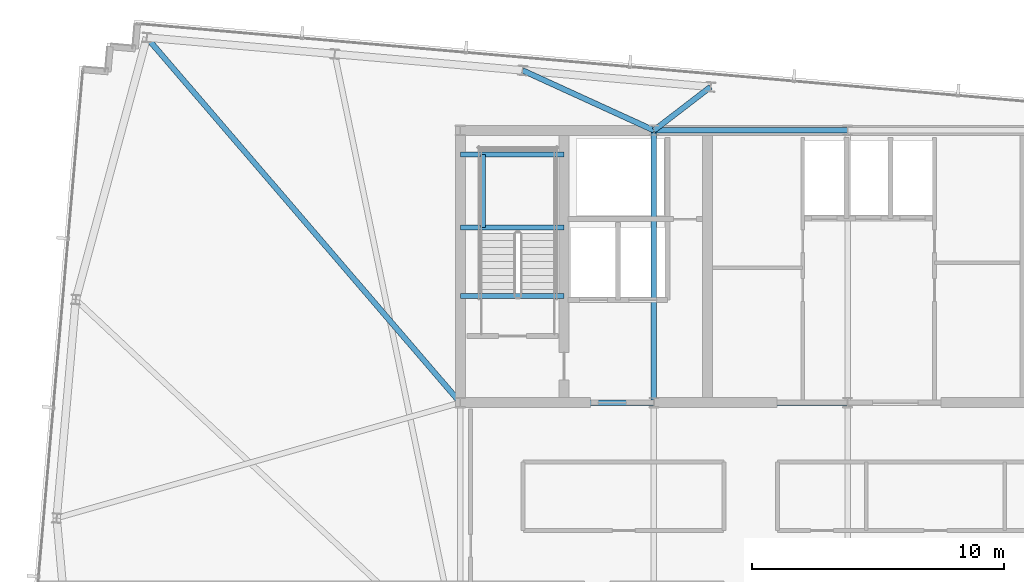
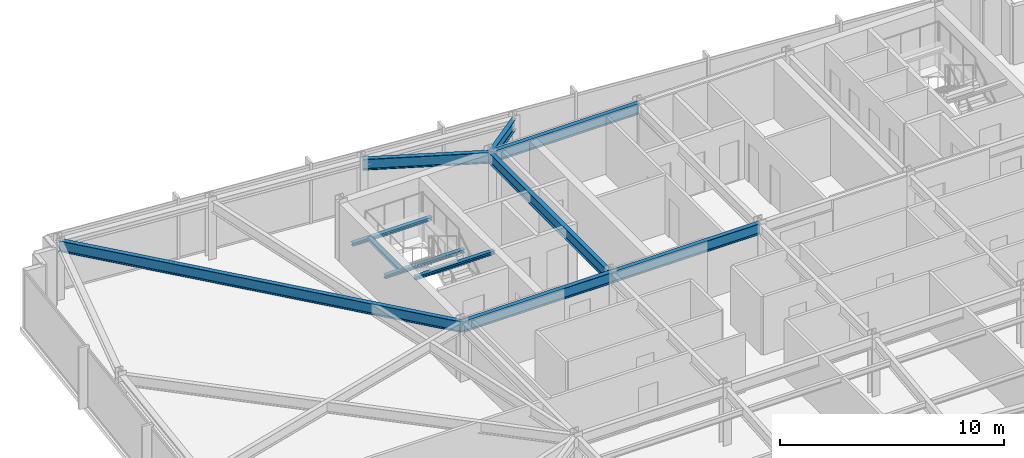
# One storey, part 12 of 32: 11 beams.
"""IFC4 building model written with IfcOpenShell, lengths in metres."""

from ifc_helpers import new_model, si_unit, direction, frame, origin, origin_2d, place, context, subcontext, project, spatial, i_section, extrude, material, material_profile, profile_set, type_object, element, save


model = new_model("IFC4")

# Units and contexts
model_context = context("Model", 3, precision=1e-05, world=origin(), true_north=direction((0.0, 1.0)))
body_context = subcontext(model_context, "Body", "Model", "MODEL_VIEW")
ifc_project = project(units=[si_unit("LENGTHUNIT", "METRE"), si_unit("AREAUNIT", "SQUARE_METRE"), si_unit("VOLUMEUNIT", "CUBIC_METRE"), si_unit("PLANEANGLEUNIT", "RADIAN"), si_unit("MASSUNIT", "GRAM", prefix="KILO")], contexts=[model_context])

# Site, building, storey
site_placement = place(None, origin())
site = spatial("IfcSite", under=ifc_project, at=site_placement, CompositionType="ELEMENT")
building_placement = place(site_placement, origin())
building = spatial("IfcBuilding", under=site, at=building_placement, Name="Yelkora Congress Tower", CompositionType="ELEMENT")
storey_placement = place(building_placement, frame((0.0, 0.0, 272.699951171875)))
storey = spatial("IfcBuildingStorey", under=building, at=storey_placement, Name="L76", CompositionType="ELEMENT", Elevation=272.699951171875)

# Beams
ifc_material = material(Name="Steel S355J2", Category="steel")
ifc_material_profile_1 = material_profile(ifc_material, i_section(OverallWidth=0.219970703125, OverallDepth=0.60009765625, WebThickness=0.011962890625, FlangeThickness=0.01904296875, FilletRadius=0.02392578125, at=origin_2d()), Name="IPE 600")
ifc_profile_set_1 = profile_set([ifc_material_profile_1], Name="Steel S355J2")
beam_type_1 = type_object("IfcBeamType", Name="BM-GIRD-IPE600", PredefinedType="BEAM", material=ifc_profile_set_1)
for number, where, z_axis, x_axis, name in (
    (1, (30.719970703125, 46.199951171875, 2.880126953125), (1.0, 0.0, 0.0), (0.0, 1.0, 0.0), "L76 Core North Girder 2"),
    (2, (23.0400390625, 35.39990234375, 2.880126953125), (1.0, 0.0, 0.0), (0.0, 1.0, 0.0), "L76 Core South Girder 1"),
    (3, (30.719970703125, 35.39990234375, 2.880126953125), (1.0, 0.0, 0.0), (0.0, 1.0, 0.0), "L76 Core South Girder 2"),
):
    element("IfcBeam", number, at=place(storey_placement, frame(where, z_axis=z_axis, x_axis=x_axis)), inside=storey, type_object=beam_type_1, Name=name, PredefinedType="BEAM", context=body_context, shape_type="SweptSolid", body=[
        extrude(i_section(OverallWidth=0.219970703125, OverallDepth=0.60009765625, WebThickness=0.011962890625, FlangeThickness=0.01904296875, FilletRadius=0.02392578125, at=origin_2d()), origin(), (0.0, 0.0, 1.0), 7.679931640625),
    ])
beam_1_placement = place(storey_placement, frame((30.719970703125, 35.39990234375, 2.880126953125), z_axis=(0.0, 1.0, 0.0), x_axis=(-1.0, 0.0, 0.0)))
element("IfcBeam", 4, at=beam_1_placement, inside=storey, type_object=beam_type_1, Name="L76 Core Tie Girder MC-S2", PredefinedType="BEAM", context=body_context, shape_type="SweptSolid", body=[
    extrude(i_section(OverallWidth=0.219970703125, OverallDepth=0.60009765625, WebThickness=0.011962890625, FlangeThickness=0.01904296875, FilletRadius=0.02392578125, at=origin_2d()), origin(), (0.0, 0.0, 1.0), 10.800048828125),
])
beam_2_placement = place(storey_placement, frame((10.60400390625, 49.884033203125, 2.880126953125), z_axis=(0.651427266579, -0.758711088859, 0.0), x_axis=(0.758711088859, 0.651427266579, 0.0)))
element("IfcBeam", 5, at=beam_2_placement, inside=storey, type_object=beam_type_1, Name="L76 Primary Frame Girder N01", PredefinedType="BEAM", context=body_context, shape_type="SweptSolid", body=[
    extrude(i_section(OverallWidth=0.219970703125, OverallDepth=0.60009765625, WebThickness=0.011962890625, FlangeThickness=0.01904296875, FilletRadius=0.02392578125, at=origin_2d()), origin(), (0.0, 0.0, 1.0), 19.09033203125),
])
beam_3_placement = place(storey_placement, frame((25.513916015625, 48.57958984375, 2.880126953125), z_axis=(0.909492445228, -0.415720449429, 0.0), x_axis=(0.415720449429, 0.909492445228, 0.0)))
element("IfcBeam", 6, at=beam_3_placement, inside=storey, type_object=beam_type_1, Name="L76 Primary Frame Girder N03", PredefinedType="BEAM", context=body_context, shape_type="SweptSolid", body=[
    extrude(i_section(OverallWidth=0.219970703125, OverallDepth=0.60009765625, WebThickness=0.011962890625, FlangeThickness=0.01904296875, FilletRadius=0.02392578125, at=origin_2d()), origin(), (0.0, 0.0, 1.0), 5.72412109375),
])
beam_4_placement = place(storey_placement, frame((32.968505859375, 47.927490234375, 2.880126953125), z_axis=(-0.792982335977, -0.609244626425, 0.0), x_axis=(0.609244626425, -0.792982335977, 0.0)))
element("IfcBeam", 7, at=beam_4_placement, inside=storey, type_object=beam_type_1, Name="L76 Primary Frame Girder N04", PredefinedType="BEAM", context=body_context, shape_type="SweptSolid", body=[
    extrude(i_section(OverallWidth=0.219970703125, OverallDepth=0.60009765625, WebThickness=0.011962890625, FlangeThickness=0.01904296875, FilletRadius=0.02392578125, at=origin_2d()), origin(), (0.0, 0.0, 1.0), 2.83544921875),
])
ifc_material_profile_2 = material_profile(ifc_material, i_section(OverallWidth=0.199951171875, OverallDepth=0.18994140625, WebThickness=0.006591796875, FlangeThickness=0.010009765625, FilletRadius=0.01806640625, at=origin_2d()), Name="HEA 200")
ifc_profile_set_2 = profile_set([ifc_material_profile_2], Name="Steel S355J2")
beam_type_2 = type_object("IfcBeamType", Name="BM-LAND-HEA200", PredefinedType="BEAM", material=ifc_profile_set_2)
for number, where, z_axis, x_axis, name in (
    (8, (23.0400390625, 42.340087890625, 1.384765625), (1.0, 0.0, 0.0), (0.0, 1.0, 0.0), "ST-01 L76 Landing Header Beam 1S"),
    (9, (23.0400390625, 45.25, 1.384765625), (1.0, 0.0, 0.0), (0.0, 1.0, 0.0), "ST-01 L76 Landing Header Beam 1N"),
):
    element("IfcBeam", number, at=place(storey_placement, frame(where, z_axis=z_axis, x_axis=x_axis)), inside=storey, type_object=beam_type_2, Name=name, PredefinedType="BEAM", context=body_context, shape_type="SweptSolid", body=[
        extrude(i_section(OverallWidth=0.199951171875, OverallDepth=0.18994140625, WebThickness=0.006591796875, FlangeThickness=0.010009765625, FilletRadius=0.01806640625, at=origin_2d()), origin(), (0.0, 0.0, 1.0), 4.10986328125),
    ])
beam_5_placement = place(storey_placement, frame((23.93994140625, 42.340087890625, 1.384765625), z_axis=(0.0, 1.0, 0.0), x_axis=(-1.0, 0.0, 0.0)))
element("IfcBeam", 10, at=beam_5_placement, inside=storey, type_object=beam_type_2, Name="ST-01 L76 Landing Trimmer Beam 1M", PredefinedType="BEAM", context=body_context, shape_type="SweptSolid", body=[
    extrude(i_section(OverallWidth=0.199951171875, OverallDepth=0.18994140625, WebThickness=0.006591796875, FlangeThickness=0.010009765625, FilletRadius=0.01806640625, at=origin_2d()), origin(), (0.0, 0.0, 1.0), 2.909912109375),
])
beam_6_placement = place(storey_placement, frame((23.0400390625, 39.639892578125, 2.947509765625), z_axis=(1.0, 0.0, 0.0), x_axis=(0.0, 1.0, 0.0)))
element("IfcBeam", 11, at=beam_6_placement, inside=storey, type_object=beam_type_2, Name="ST-01 L76 Floor Arrival Stringer Header Beam", PredefinedType="BEAM", context=body_context, shape_type="SweptSolid", body=[
    extrude(i_section(OverallWidth=0.199951171875, OverallDepth=0.18994140625, WebThickness=0.006591796875, FlangeThickness=0.010009765625, FilletRadius=0.01806640625, at=origin_2d()), origin(), (0.0, 0.0, 1.0), 4.10986328125),
])

save(model, "model.ifc")
